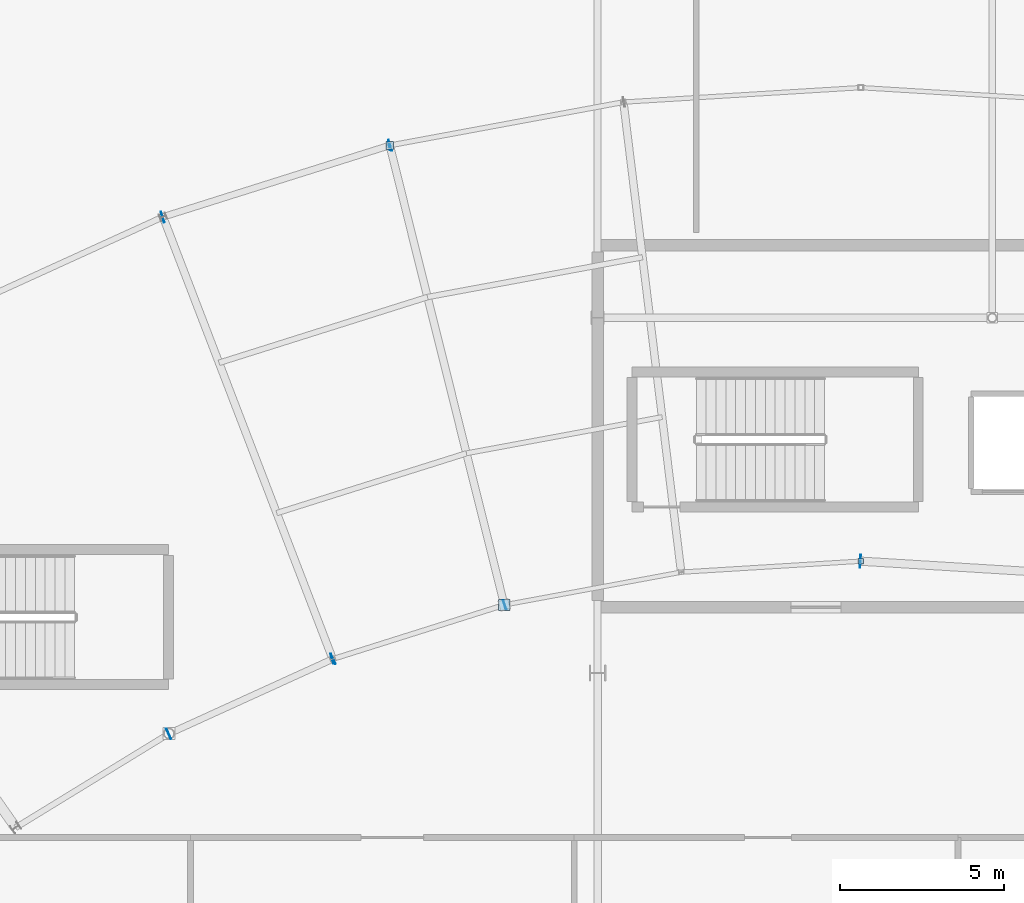
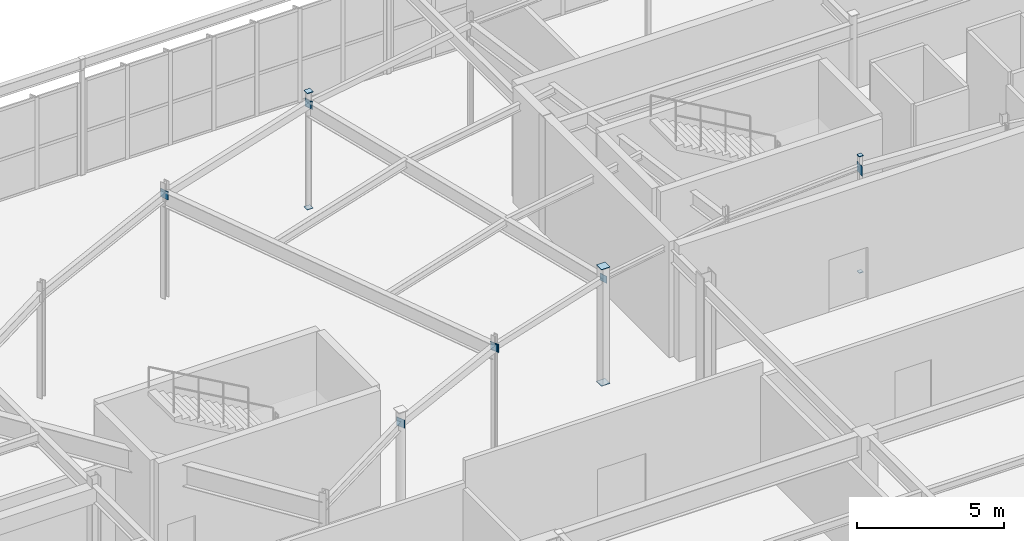
# One storey, part 141 of 186: 14 plates.
"""IFC4 building model written with IfcOpenShell, lengths in metres."""

from ifc_helpers import new_model, si_unit, direction, frame, origin, origin_2d, place, context, subcontext, project, spatial, rectangle, extrude, material, layer, layer_set, type_object, element, save


model = new_model("IFC4")

# Units and contexts
model_context = context("Model", 3, precision=1e-05, world=origin(), true_north=direction((0.0, 1.0)))
body_context = subcontext(model_context, "Body", "Model", "MODEL_VIEW")
ifc_project = project(units=[si_unit("LENGTHUNIT", "METRE"), si_unit("AREAUNIT", "SQUARE_METRE"), si_unit("VOLUMEUNIT", "CUBIC_METRE"), si_unit("PLANEANGLEUNIT", "RADIAN"), si_unit("MASSUNIT", "GRAM", prefix="KILO")], contexts=[model_context])

# Site, building, storey
site_placement = place(None, origin())
site = spatial("IfcSite", under=ifc_project, at=site_placement, CompositionType="ELEMENT")
building_placement = place(site_placement, origin())
building = spatial("IfcBuilding", under=site, at=building_placement, Name="Tarnwether General Hospital", CompositionType="ELEMENT")
storey_placement = place(building_placement, frame((0.0, 0.0, 9.60009765625)))
storey = spatial("IfcBuildingStorey", under=building, at=storey_placement, Name="L02", CompositionType="ELEMENT", Elevation=9.60009765625)

# Plates
ifc_material = material(Name="Steel Grade 350 (350 MPa)", Category="steel")
ifc_layer = layer(ifc_material, 0.02490234375)
ifc_layer_set = layer_set([ifc_layer], Name="Steel Grade 350 (350 MPa)")
plate_type = type_object("IfcPlateType", Name="PT-GUS2", PredefinedType="USERDEFINED", material=ifc_layer_set)
for number, where, z_axis, x_axis, name in (
    (1, (77.677978515625, 120.44189453125, -0.025146484375), (0.0, 0.0, 1.0), (1.0, 0.0, 0.0), "Hollow Section Welded End Cap Plate 0491"),
    (2, (77.677978515625, 120.44189453125, 4.800048828125), (0.0, 0.0, 1.0), (1.0, 0.0, 0.0), "Hollow Section Welded End Cap Plate 0492"),
):
    element("IfcPlate", number, at=place(storey_placement, frame(where, z_axis=z_axis, x_axis=x_axis)), inside=storey, type_object=plate_type, Name=name, ObjectType="GUSSET", PredefinedType="USERDEFINED", context=body_context, shape_type="SweptSolid", body=[
        extrude(rectangle(XDim=0.23388671875, YDim=0.23388671875, at=origin_2d()), origin(), (0.0, 0.0, 1.0), 0.02490234375),
    ])
for number, where, z_axis, x_axis, name in (
    (3, (81.162109375, 106.468994140625, -0.025146484375), (0.0, 0.0, 1.0), (1.0, 0.0, 0.0), "Hollow Section Welded End Cap Plate 0501"),
    (4, (81.162109375, 106.468994140625, 4.800048828125), (0.0, 0.0, 1.0), (1.0, 0.0, 0.0), "Hollow Section Welded End Cap Plate 0502"),
):
    element("IfcPlate", number, at=place(storey_placement, frame(where, z_axis=z_axis, x_axis=x_axis)), inside=storey, type_object=plate_type, Name=name, ObjectType="GUSSET", PredefinedType="USERDEFINED", context=body_context, shape_type="SweptSolid", body=[
        extrude(rectangle(XDim=0.340087890625, YDim=0.340087890625, at=origin_2d()), origin(), (0.0, 0.0, 1.0), 0.02490234375),
    ])
for number, where, z_axis, x_axis, name in (
    (5, (92.0, 107.800048828125, -0.025146484375), (0.0, 0.0, 1.0), (1.0, 0.0, 0.0), "Hollow Section Welded End Cap Plate 0533"),
    (6, (92.0, 107.800048828125, 4.800048828125), (0.0, 0.0, 1.0), (1.0, 0.0, 0.0), "Hollow Section Welded End Cap Plate 0534"),
):
    element("IfcPlate", number, at=place(storey_placement, frame(where, z_axis=z_axis, x_axis=x_axis)), inside=storey, type_object=plate_type, Name=name, ObjectType="GUSSET", PredefinedType="USERDEFINED", context=body_context, shape_type="SweptSolid", body=[
        extrude(rectangle(XDim=0.1650390625, YDim=0.1650390625, at=origin_2d()), origin(), (0.0, 0.0, 1.0), 0.02490234375),
    ])
for number, where, z_axis, x_axis, name in (
    (7, (70.95654296875, 102.55078125, 4.10986328125), (0.0, 0.0, 1.0), (0.9099685085, 0.414677360773, 0.0), "Hollow Section Welded End Cap Plate 0987"),
    (8, (75.956298828125, 104.8291015625, 4.10986328125), (0.0, 0.0, 1.0), (0.9099685085, 0.414677360773, 0.0), "Hollow Section Welded End Cap Plate 0988"),
    (9, (70.773193359375, 118.26416015625, 4.10986328125), (0.0, 0.0, 1.0), (0.953690705585, 0.300789025864, 0.0), "Hollow Section Welded End Cap Plate 0989"),
    (10, (77.68994140625, 120.44580078125, 4.10986328125), (0.0, 0.0, 1.0), (0.953690705585, 0.300789025864, 0.0), "Hollow Section Welded End Cap Plate 0990"),
):
    element("IfcPlate", number, at=place(storey_placement, frame(where, z_axis=z_axis, x_axis=x_axis)), inside=storey, type_object=plate_type, Name=name, ObjectType="GUSSET", PredefinedType="USERDEFINED", context=body_context, shape_type="SweptSolid", body=[
        extrude(rectangle(XDim=0.02490234375, YDim=0.340087890625, at=origin_2d()), origin(), (0.0, 0.0, 1.0), 0.340087890625),
    ])
for number, where, z_axis, x_axis, name in (
    (11, (75.93310546875, 104.8203125, 4.159912109375), (0.0, 0.0, 1.0), (0.953711702297, 0.300722444959, 0.0), "Hollow Section Welded End Cap Plate 0991"),
    (12, (81.173828125, 106.472900390625, 4.159912109375), (0.0, 0.0, 1.0), (0.953711702297, 0.300722444959, 0.0), "Hollow Section Welded End Cap Plate 0992"),
    (13, (77.665771484375, 120.439697265625, 4.159912109375), (0.0, 0.0, 1.0), (0.983261268185, 0.18220120331, 0.0), "Hollow Section Welded End Cap Plate 0993"),
):
    element("IfcPlate", number, at=place(storey_placement, frame(where, z_axis=z_axis, x_axis=x_axis)), inside=storey, type_object=plate_type, Name=name, ObjectType="GUSSET", PredefinedType="USERDEFINED", context=body_context, shape_type="SweptSolid", body=[
        extrude(rectangle(XDim=0.02490234375, YDim=0.2900390625, at=origin_2d()), origin(), (0.0, 0.0, 1.0), 0.2900390625),
    ])
plate_placement = place(storey_placement, frame((91.987548828125, 107.80078125, 4.06005859375), z_axis=(0.0, 0.0, 1.0), x_axis=(0.998133732772, -0.061065960264, 0.0)))
element("IfcPlate", 14, at=plate_placement, inside=storey, type_object=plate_type, Name="Hollow Section Welded End Cap Plate 0995", ObjectType="GUSSET", PredefinedType="USERDEFINED", context=body_context, shape_type="SweptSolid", body=[
    extrude(rectangle(XDim=0.02490234375, YDim=0.389892578125, at=origin_2d()), origin(), (0.0, 0.0, 1.0), 0.389892578125),
])

save(model, "model.ifc")
